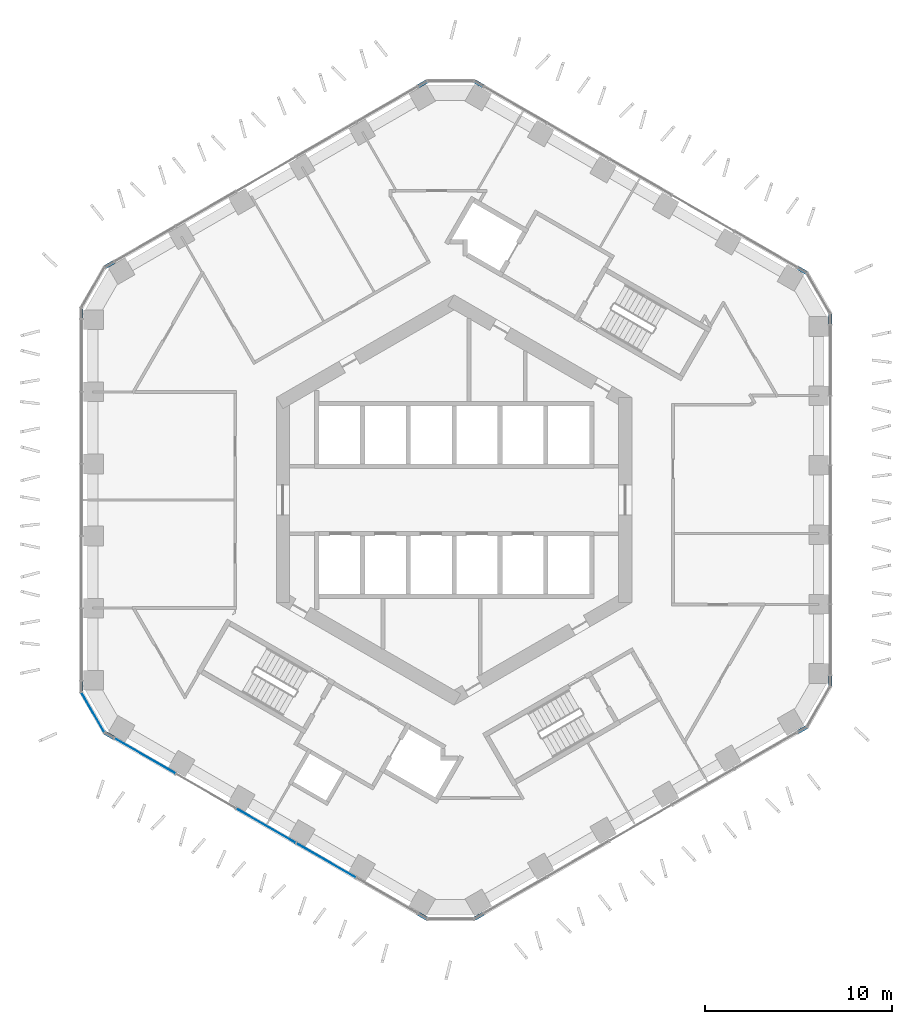
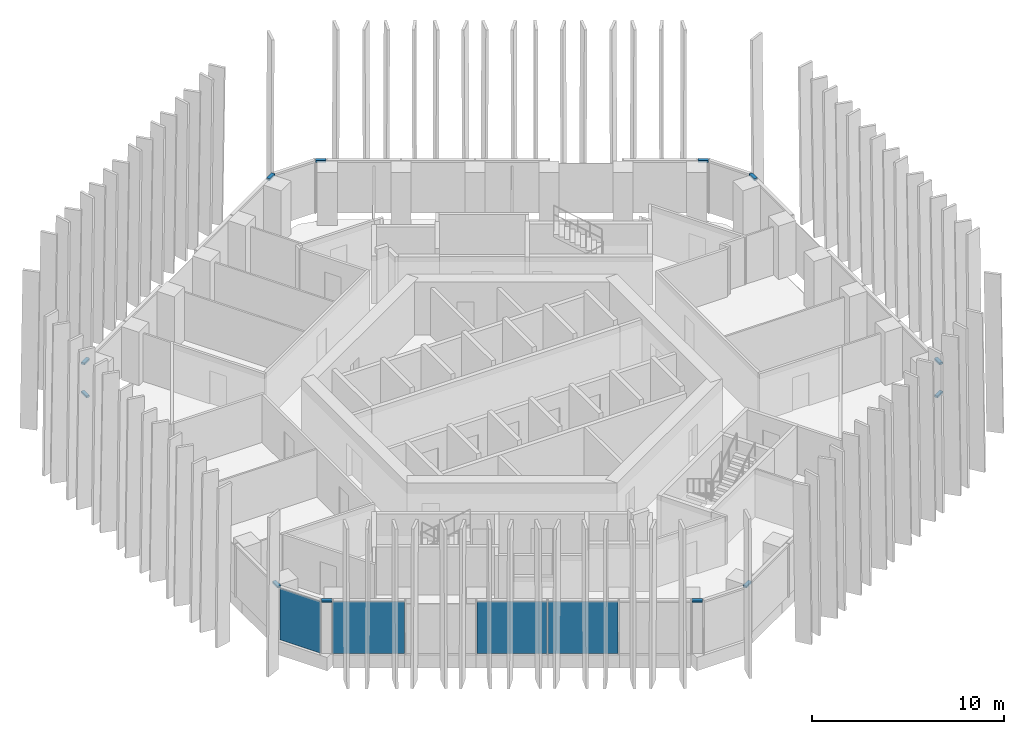
# One storey, part 7 of 19: 12 members, 4 plates, 7 elements without a shape of their own.
"""IFC4 building model written with IfcOpenShell, lengths in metres."""

from ifc_helpers import new_model, si_unit, direction, frame, origin, origin_2d, place, context, subcontext, project, spatial, rectangle, extrude, material, layer, layer_set, material_profile, profile_set, type_object, element, aggregate, save


model = new_model("IFC4")

# Units and contexts
model_context = context("Model", 3, precision=1e-05, world=origin(), true_north=direction((0.0, 1.0)))
body_context = subcontext(model_context, "Body", "Model", "MODEL_VIEW")
ifc_project = project(units=[si_unit("LENGTHUNIT", "METRE"), si_unit("AREAUNIT", "SQUARE_METRE"), si_unit("VOLUMEUNIT", "CUBIC_METRE"), si_unit("PLANEANGLEUNIT", "RADIAN"), si_unit("MASSUNIT", "GRAM", prefix="KILO")], contexts=[model_context])

# Site, building, storey
site_placement = place(None, origin())
site = spatial("IfcSite", under=ifc_project, at=site_placement, CompositionType="ELEMENT")
building_placement = place(site_placement, origin())
building = spatial("IfcBuilding", under=site, at=building_placement, Name="Ayvan Gate Tower", CompositionType="ELEMENT")
storey_placement = place(building_placement, frame((0.0, 0.0, 93.300048828125)))
storey = spatial("IfcBuildingStorey", under=building, at=storey_placement, Name="L24", CompositionType="ELEMENT", Elevation=93.300048828125)

# Curtain wall, members
ifc_material_1 = material(Name="Bronze anodised aluminium", Category="aluminium")
ifc_layer_1 = layer(ifc_material_1, 0.199951171875)
ifc_layer_set_1 = layer_set([ifc_layer_1], Name="Bronze anodised aluminium")
curtain_wall_type_1 = type_object("IfcCurtainWallType", Name="Stick curtain wall CW-6", PredefinedType="NOTDEFINED", material=ifc_layer_set_1)
curtain_wall_1_placement = place(storey_placement, origin())
curtain_wall_1 = element("IfcCurtainWall", 1, at=curtain_wall_1_placement, inside=storey, type_object=curtain_wall_type_1, Name="Stick curtain wall CW-6 L24", PredefinedType="NOTDEFINED")
ifc_material_profile = material_profile(ifc_material_1, rectangle(XDim=0.199951171875, YDim=0.1201171875, at=origin_2d()), Name="Stick curtain wall CW-6 transom 200 x 120")
ifc_profile_set = profile_set([ifc_material_profile], Name="Bronze anodised aluminium")
member_type = type_object("IfcMemberType", Name="Stick curtain wall CW-6 transom 200 x 120", PredefinedType="USERDEFINED", material=ifc_profile_set)
member_1_placement = place(storey_placement, frame((-18.19140625, 12.718994140625, 3.33984375), z_axis=(-0.865912065108, -0.500196256984, 0.0), x_axis=(0.500196256984, -0.865912065108, 0.0)))
member_1 = element("IfcMember", 2, at=member_1_placement, type_object=member_type, Name="CW-6 transom 1", ObjectType="TRANSOM", PredefinedType="USERDEFINED", context=body_context, shape_type="SweptSolid", body=[
    extrude(rectangle(XDim=0.199951171875, YDim=0.1201171875, at=origin_2d()), origin(), (0.0, 0.0, 1.0), 0.550048828125),
])
member_2_placement = place(storey_placement, frame((-19.9326171875, 10.2529296875, 3.33984375), z_axis=(0.0, -1.0, 0.0), x_axis=(1.0, 0.0, 0.0)))
member_2 = element("IfcMember", 3, at=member_2_placement, type_object=member_type, Name="CW-6 transom 3", ObjectType="TRANSOM", PredefinedType="USERDEFINED", context=body_context, shape_type="SweptSolid", body=[
    extrude(rectangle(XDim=0.199951171875, YDim=0.1201171875, at=origin_2d()), origin(), (0.0, 0.0, 1.0), 0.5498046875),
])
aggregate(curtain_wall_1, [member_1, member_2])

curtain_wall_2_placement = place(storey_placement, origin())
curtain_wall_2 = element("IfcCurtainWall", 4, at=curtain_wall_2_placement, inside=storey, type_object=curtain_wall_type_1, Name="Stick curtain wall CW-6 L24", PredefinedType="NOTDEFINED")
member_3_placement = place(storey_placement, frame((-19.9326171875, -9.703125, 3.33984375), z_axis=(0.0, -1.0, 0.0), x_axis=(1.0, 0.0, 0.0)))
member_3 = element("IfcMember", 5, at=member_3_placement, type_object=member_type, Name="CW-6 transom 1", ObjectType="TRANSOM", PredefinedType="USERDEFINED", context=body_context, shape_type="SweptSolid", body=[
    extrude(rectangle(XDim=0.199951171875, YDim=0.1201171875, at=origin_2d()), origin(), (0.0, 0.0, 1.0), 0.5498046875),
])
member_4_placement = place(storey_placement, frame((-18.667724609375, -12.44384765625, 3.33984375), z_axis=(0.865912065108, -0.500196256984, 0.0), x_axis=(0.500196256984, 0.865912065108, 0.0)))
member_4 = element("IfcMember", 6, at=member_4_placement, type_object=member_type, Name="CW-6 transom 3", ObjectType="TRANSOM", PredefinedType="USERDEFINED", context=body_context, shape_type="SweptSolid", body=[
    extrude(rectangle(XDim=0.199951171875, YDim=0.1201171875, at=origin_2d()), origin(), (0.0, 0.0, 1.0), 0.550048828125),
])

curtain_wall_3_placement = place(storey_placement, origin())
curtain_wall_3 = element("IfcCurtainWall", 7, at=curtain_wall_3_placement, inside=storey, type_object=curtain_wall_type_1, Name="Stick curtain wall CW-6 L24", PredefinedType="NOTDEFINED")
member_5_placement = place(storey_placement, frame((-1.919189453125, -22.113525390625, 3.33984375), z_axis=(0.865912065108, -0.500196256984, 0.0), x_axis=(0.500196256984, 0.865912065108, 0.0)))
member_5 = element("IfcMember", 8, at=member_5_placement, type_object=member_type, Name="CW-6 transom 1", ObjectType="TRANSOM", PredefinedType="USERDEFINED", context=body_context, shape_type="SweptSolid", body=[
    extrude(rectangle(XDim=0.199951171875, YDim=0.1201171875, at=origin_2d()), origin(), (0.0, 0.0, 1.0), 0.550048828125),
])
member_6_placement = place(storey_placement, frame((1.0869140625, -22.388671875, 3.33984375), z_axis=(0.865912065108, 0.500196256984, 0.0), x_axis=(-0.500196256984, 0.865912065108, 0.0)))
member_6 = element("IfcMember", 9, at=member_6_placement, type_object=member_type, Name="CW-6 transom 3", ObjectType="TRANSOM", PredefinedType="USERDEFINED", context=body_context, shape_type="SweptSolid", body=[
    extrude(rectangle(XDim=0.199951171875, YDim=0.1201171875, at=origin_2d()), origin(), (0.0, 0.0, 1.0), 0.550048828125),
])
aggregate(curtain_wall_3, [member_5, member_6])

curtain_wall_4_placement = place(storey_placement, origin())
curtain_wall_4 = element("IfcCurtainWall", 10, at=curtain_wall_4_placement, inside=storey, type_object=curtain_wall_type_1, Name="Stick curtain wall CW-6 L24", PredefinedType="NOTDEFINED")
member_7_placement = place(storey_placement, frame((18.369384765625, -12.41064453125, 3.33984375), z_axis=(0.865912065108, 0.500196256984, 0.0), x_axis=(-0.500196256984, 0.865912065108, 0.0)))
member_7 = element("IfcMember", 11, at=member_7_placement, type_object=member_type, Name="CW-6 transom 1", ObjectType="TRANSOM", PredefinedType="USERDEFINED", context=body_context, shape_type="SweptSolid", body=[
    extrude(rectangle(XDim=0.199951171875, YDim=0.1201171875, at=origin_2d()), origin(), (0.0, 0.0, 1.0), 0.550048828125),
])
member_8_placement = place(storey_placement, frame((20.110595703125, -9.944580078125, 3.33984375), z_axis=(0.0, 1.0, 0.0), x_axis=(-1.0, 0.0, 0.0)))
member_8 = element("IfcMember", 12, at=member_8_placement, type_object=member_type, Name="CW-6 transom 3", ObjectType="TRANSOM", PredefinedType="USERDEFINED", context=body_context, shape_type="SweptSolid", body=[
    extrude(rectangle(XDim=0.199951171875, YDim=0.1201171875, at=origin_2d()), origin(), (0.0, 0.0, 1.0), 0.550048828125),
])
aggregate(curtain_wall_4, [member_7, member_8])

curtain_wall_5_placement = place(storey_placement, origin())
curtain_wall_5 = element("IfcCurtainWall", 13, at=curtain_wall_5_placement, inside=storey, type_object=curtain_wall_type_1, Name="Stick curtain wall CW-6 L24", PredefinedType="NOTDEFINED")
member_9_placement = place(storey_placement, frame((20.110595703125, 9.39453125, 3.33984375), z_axis=(0.0, 1.0, 0.0), x_axis=(-1.0, 0.0, 0.0)))
member_9 = element("IfcMember", 14, at=member_9_placement, type_object=member_type, Name="CW-6 transom 1", ObjectType="TRANSOM", PredefinedType="USERDEFINED", context=body_context, shape_type="SweptSolid", body=[
    extrude(rectangle(XDim=0.199951171875, YDim=0.1201171875, at=origin_2d()), origin(), (0.0, 0.0, 1.0), 0.550048828125),
])
member_10_placement = place(storey_placement, frame((18.845703125, 12.135498046875, 3.33984375), z_axis=(-0.865912065108, 0.500196256984, 0.0), x_axis=(-0.500196256984, -0.865912065108, 0.0)))
member_10 = element("IfcMember", 15, at=member_10_placement, type_object=member_type, Name="CW-6 transom 3", ObjectType="TRANSOM", PredefinedType="USERDEFINED", context=body_context, shape_type="SweptSolid", body=[
    extrude(rectangle(XDim=0.199951171875, YDim=0.1201171875, at=origin_2d()), origin(), (0.0, 0.0, 1.0), 0.550048828125),
])
aggregate(curtain_wall_5, [member_9, member_10])

curtain_wall_6_placement = place(storey_placement, origin())
curtain_wall_6 = element("IfcCurtainWall", 16, at=curtain_wall_6_placement, inside=storey, type_object=curtain_wall_type_1, Name="Stick curtain wall CW-6 L24", PredefinedType="NOTDEFINED")
member_11_placement = place(storey_placement, frame((1.563232421875, 22.113525390625, 3.33984375), z_axis=(-0.865912065108, 0.500196256984, 0.0), x_axis=(-0.500196256984, -0.865912065108, 0.0)))
member_11 = element("IfcMember", 17, at=member_11_placement, type_object=member_type, Name="CW-6 transom 1", ObjectType="TRANSOM", PredefinedType="USERDEFINED", context=body_context, shape_type="SweptSolid", body=[
    extrude(rectangle(XDim=0.199951171875, YDim=0.1201171875, at=origin_2d()), origin(), (0.0, 0.0, 1.0), 0.550048828125),
])
member_12_placement = place(storey_placement, frame((-1.44287109375, 22.388671875, 3.33984375), z_axis=(-0.865912065108, -0.500196256984, 0.0), x_axis=(0.500196256984, -0.865912065108, 0.0)))
member_12 = element("IfcMember", 18, at=member_12_placement, type_object=member_type, Name="CW-6 transom 3", ObjectType="TRANSOM", PredefinedType="USERDEFINED", context=body_context, shape_type="SweptSolid", body=[
    extrude(rectangle(XDim=0.199951171875, YDim=0.1201171875, at=origin_2d()), origin(), (0.0, 0.0, 1.0), 0.550048828125),
])
aggregate(curtain_wall_6, [member_11, member_12])

# Curtain wall, plates
ifc_layer_2 = layer(ifc_material_1, 0.199951171875)
ifc_layer_set_2 = layer_set([ifc_layer_2], Name="Bronze anodised aluminium")
curtain_wall_type_2 = type_object("IfcCurtainWallType", Name="Stick curtain wall CW-1", PredefinedType="NOTDEFINED", material=ifc_layer_set_2)
curtain_wall_7_placement = place(storey_placement, origin())
curtain_wall_7 = element("IfcCurtainWall", 19, at=curtain_wall_7_placement, inside=storey, type_object=curtain_wall_type_2, Name="Stick curtain wall CW-1 L24", PredefinedType="NOTDEFINED")
ifc_material_2 = material(Name="Clear low-iron laminated glass", Category="glass")
ifc_layer_3 = layer(ifc_material_2, 0.028076171875)
ifc_layer_set_3 = layer_set([ifc_layer_3], Name="Clear low-iron laminated glass")
plate_type_1 = type_object("IfcPlateType", Name="Stick curtain wall CW-1 glass panel", PredefinedType="CURTAIN_PANEL", material=ifc_layer_set_3)
plate_1_placement = place(storey_placement, frame((-16.53369140625, -13.676025390625, 0.0), z_axis=(0.0, 0.0, 1.0), x_axis=(0.866025403784, -0.5, 0.0)))
plate_1 = element("IfcPlate", 20, at=plate_1_placement, type_object=plate_type_1, Name="CW-1 glass panel 1", PredefinedType="CURTAIN_PANEL", context=body_context, shape_type="SweptSolid", body=[
    extrude(rectangle(XDim=3.76806640625, YDim=0.028076171875, at=origin_2d()), origin(), (0.0, 0.0, 1.0), 3.280029296875),
])
plate_2_placement = place(storey_placement, frame((-10.055419921875, -17.416259765625, 0.0), z_axis=(0.0, 0.0, 1.0), x_axis=(0.866025403784, -0.5, 0.0)))
plate_2 = element("IfcPlate", 21, at=plate_2_placement, type_object=plate_type_1, Name="CW-1 glass panel 3", PredefinedType="CURTAIN_PANEL", context=body_context, shape_type="SweptSolid", body=[
    extrude(rectangle(XDim=3.65087890625, YDim=0.028076171875, at=origin_2d()), origin(), (0.0, 0.0, 1.0), 3.280029296875),
])
plate_3_placement = place(storey_placement, frame((-6.841064453125, -19.27197265625, 0.0), z_axis=(0.0, 0.0, 1.0), x_axis=(0.866025403784, -0.5, 0.0)))
plate_3 = element("IfcPlate", 22, at=plate_3_placement, type_object=plate_type_1, Name="CW-1 glass panel 4", PredefinedType="CURTAIN_PANEL", context=body_context, shape_type="SweptSolid", body=[
    extrude(rectangle(XDim=3.652099609375, YDim=0.028076171875, at=origin_2d()), origin(), (0.0, 0.0, 1.0), 3.280029296875),
])
aggregate(curtain_wall_7, [plate_1, plate_2, plate_3])

# Plate
ifc_layer_4 = layer(ifc_material_2, 0.028076171875)
ifc_layer_set_4 = layer_set([ifc_layer_4], Name="Clear low-iron laminated glass")
plate_type_2 = type_object("IfcPlateType", Name="Stick curtain wall CW-6 glass panel", PredefinedType="CURTAIN_PANEL", material=ifc_layer_set_4)
plate_4_placement = place(storey_placement, frame((-19.310791015625, -11.354736328125, 0.0), z_axis=(0.0, 0.0, 1.0), x_axis=(0.5, -0.866025403784, 0.0)))
plate_4 = element("IfcPlate", 23, at=plate_4_placement, type_object=plate_type_2, Name="CW-6 glass panel 2", PredefinedType="CURTAIN_PANEL", context=body_context, shape_type="SweptSolid", body=[
    extrude(rectangle(XDim=2.4365234375, YDim=0.028076171875, at=origin_2d()), origin(), (0.0, 0.0, 1.0), 3.280029296875),
])

aggregate(curtain_wall_2, [member_3, member_4, plate_4])

save(model, "model.ifc")
